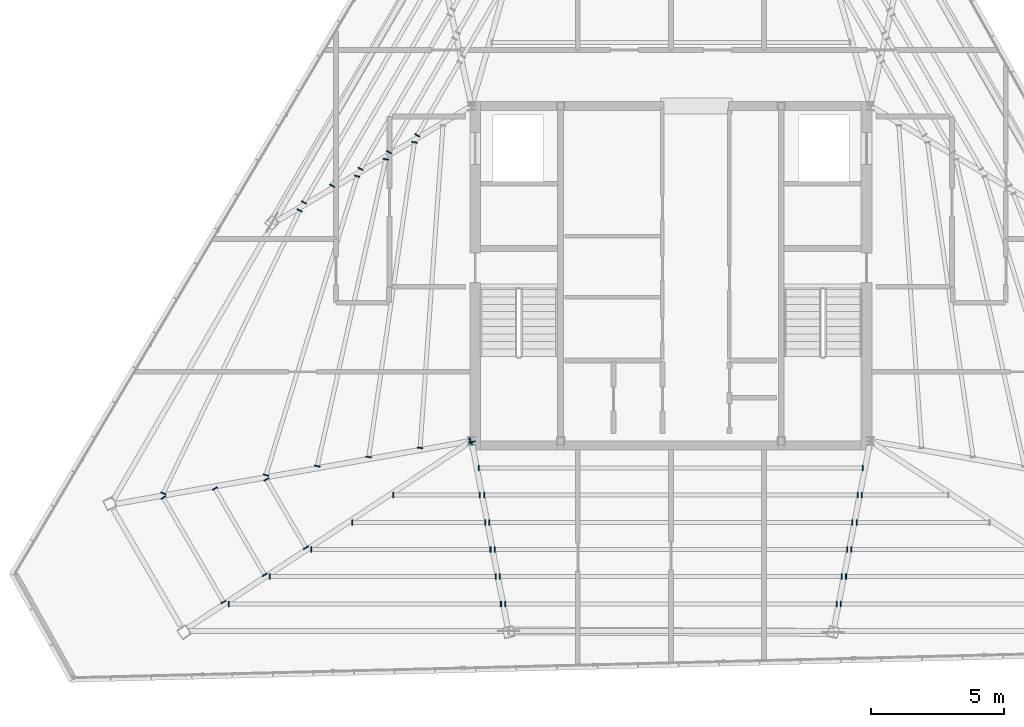
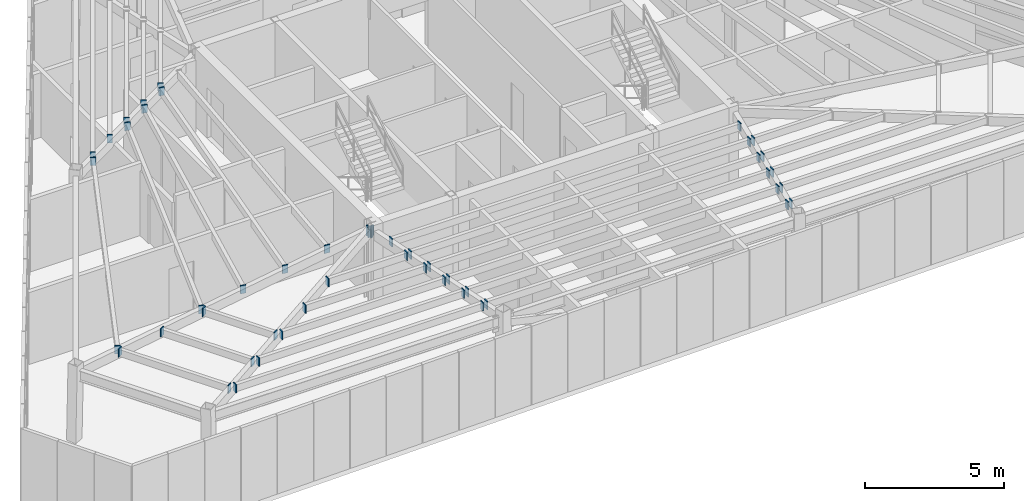
# One storey, part 39 of 48: 50 plates.
"""IFC4 building model written with IfcOpenShell, lengths in metres."""

from ifc_helpers import new_model, si_unit, direction, frame, origin, origin_2d, place, context, subcontext, project, spatial, rectangle, extrude, source, transform, mapped, material, layer, layer_set, type_object, type_shapes, element, save


model = new_model("IFC4")

# Units and contexts
model_context = context("Model", 3, precision=1e-05, world=origin(), true_north=direction((0.0, 1.0)))
body_context = subcontext(model_context, "Body", "Model", "MODEL_VIEW")
ifc_project = project(units=[si_unit("LENGTHUNIT", "METRE"), si_unit("AREAUNIT", "SQUARE_METRE"), si_unit("VOLUMEUNIT", "CUBIC_METRE"), si_unit("PLANEANGLEUNIT", "RADIAN"), si_unit("MASSUNIT", "GRAM", prefix="KILO")], contexts=[model_context])

# Site, building, storey
site_placement = place(None, origin())
site = spatial("IfcSite", under=ifc_project, at=site_placement, CompositionType="ELEMENT")
building_placement = place(site_placement, origin())
building = spatial("IfcBuilding", under=site, at=building_placement, Name="Caelisora Broadcast Tower", CompositionType="ELEMENT")
storey_placement = place(building_placement, frame((0.0, 0.0, 300.0)))
storey = spatial("IfcBuildingStorey", under=building, at=storey_placement, Name="L79", CompositionType="ELEMENT", Elevation=300.0)

# Plates
ifc_material = material(Name="Steel Grade 350 L15 (AS/NZS 3678)", Category="steel")
ifc_layer = layer(ifc_material, 0.0400390625, Name="Steel Grade 350 L15 (AS/NZS 3678)")
ifc_layer_set = layer_set([ifc_layer], Name="Steel Grade 350 L15 (AS/NZS 3678)")
plate_type = type_object("IfcPlateType", Name="GP04", PredefinedType="USERDEFINED", material=ifc_layer_set)
shared_shape_1 = source(origin(), body_context, "Body", "SweptSolid", [
    extrude(rectangle(XDim=0.260009765625, YDim=0.0400390625, at=origin_2d()), origin(), (0.0, 0.0, 1.0), 0.4599609375),
])
for number, where, z_axis, x_axis, name in (
    (1, (30.460693359375, 17.39306640625, 2.719970703125), (0.0, 0.0, 1.0), (0.174507518327, -0.984655841422, 0.0), "L79 gusset plate GP04 (ND-RAD-L79-05)"),
    (2, (30.466552734375, 17.3779296875, 2.719970703125), (0.0, 0.0, 1.0), (0.55062644014, -0.834751773535, 0.0), "L79 gusset plate GP04 (ND-RAD-L79-06)"),
    (3, (30.507568359375, 17.360595703125, 2.719970703125), (0.0, 0.0, 1.0), (0.981693728546, 0.190466331231, 0.0), "L79 gusset plate GP04 (ND-RAD-L79-07)"),
):
    element("IfcPlate", number, at=place(storey_placement, frame(where, z_axis=z_axis, x_axis=x_axis)), inside=storey, type_object=plate_type, Name=name, ObjectType="GUSSET PLATE", PredefinedType="USERDEFINED", context=body_context, shape_type="MappedRepresentation", body=[
        mapped(shared_shape_1, transform((0.0, 0.0, 0.0), scale=1.0)),
    ])
shared_shape_2 = source(origin(), body_context, "Body", "SweptSolid", [
    extrude(rectangle(XDim=0.2099609375, YDim=0.0400390625, at=origin_2d()), origin(), (0.0, 0.0, 1.0), 0.360107421875),
])
type_shapes(plate_type, [shared_shape_1, shared_shape_2])
for number, where, z_axis, x_axis, name in (
    (4, (28.457763671875, 28.894287109375, 2.81982421875), (0.0, 0.0, 1.0), (0.866025403784, -0.5, 0.0), "L79 gusset plate GP04 (ND-SB-L79-012B)"),
    (5, (27.3916015625, 28.262939453125, 2.81982421875), (0.0, 0.0, 1.0), (0.866025403784, -0.5, 0.0), "L79 gusset plate GP04 (ND-SB-L79-013B)"),
    (6, (26.3251953125, 27.631591796875, 2.81982421875), (0.0, 0.0, 1.0), (0.866025403784, -0.5, 0.0), "L79 gusset plate GP04 (ND-SB-L79-014B)"),
    (7, (25.2587890625, 27.00048828125, 2.81982421875), (0.0, 0.0, 1.0), (0.866025403784, -0.5, 0.0), "L79 gusset plate GP04 (ND-SB-L79-015B)"),
    (8, (24.192626953125, 26.369140625, 2.81982421875), (0.0, 0.0, 1.0), (0.866025403784, -0.5, 0.0), "L79 gusset plate GP04 (ND-SB-L79-016B)"),
    (9, (28.566162109375, 17.135986328125, 2.81982421875), (0.0, 0.0, 1.0), (0.997490454489, -0.070801081936, 0.0), "L79 gusset plate GP04 (ND-SB-L79-017B)"),
    (10, (28.352294921875, 28.633056640625, 2.81982421875), (0.0, 0.0, 1.0), (0.989626327559, -0.143665346556, 0.0), "L79 gusset plate GP04 (ND-SB-L79-018A)"),
    (11, (26.6328125, 16.7939453125, 2.81982421875), (0.0, 0.0, 1.0), (0.989626327559, -0.143665346556, 0.0), "L79 gusset plate GP04 (ND-SB-L79-018B)"),
    (12, (27.276123046875, 27.994873046875, 2.81982421875), (0.0, 0.0, 1.0), (0.975992848837, -0.217802568899, 0.0), "L79 gusset plate GP04 (ND-SB-L79-019A)"),
    (13, (24.699951171875, 16.451904296875, 2.81982421875), (0.0, 0.0, 1.0), (0.975992848837, -0.217802568899, 0.0), "L79 gusset plate GP04 (ND-SB-L79-019B)"),
    (14, (26.1982421875, 27.355224609375, 2.81982421875), (0.0, 0.0, 1.0), (0.956508636856, -0.291704006862, 0.0), "L79 gusset plate GP04 (ND-SB-L79-020A)"),
    (15, (22.767822265625, 16.1103515625, 2.81982421875), (0.0, 0.0, 1.0), (0.956508636856, -0.291704006862, 0.0), "L79 gusset plate GP04 (ND-SB-L79-020B)"),
    (16, (24.03369140625, 26.07080078125, 2.81982421875), (0.0, 0.0, 1.0), (0.900925590851, -0.433973593378, 0.0), "L79 gusset plate GP04 (ND-SB-L79-021A)"),
    (17, (18.90625, 15.427734375, 2.81982421875), (0.0, 0.0, 1.0), (0.900925590851, -0.433973593378, 0.0), "L79 gusset plate GP04 (ND-SB-L79-021B)"),
    (18, (22.783447265625, 15.95263671875, 2.81982421875), (0.0, 0.0, 1.0), (0.866025403784, 0.5, 0.0), "L79 gusset plate GP04 (ND-SB-L79-022A)"),
    (19, (24.268310546875, 13.381103515625, 2.81982421875), (0.0, 0.0, 1.0), (0.866025403784, 0.5, 0.0), "L79 gusset plate GP04 (ND-SB-L79-022B)"),
    (20, (20.843994140625, 15.60888671875, 2.81982421875), (0.0, 0.0, 1.0), (0.866025403784, 0.5, 0.0), "L79 gusset plate GP04 (ND-SB-L79-023A)"),
    (21, (22.719970703125, 12.359619140625, 2.81982421875), (0.0, 0.0, 1.0), (0.866025403784, 0.5, 0.0), "L79 gusset plate GP04 (ND-SB-L79-023B)"),
    (22, (18.904296875, 15.26513671875, 2.81982421875), (0.0, 0.0, 1.0), (0.866025403784, 0.5, 0.0), "L79 gusset plate GP04 (ND-SB-L79-024A)"),
    (23, (21.171630859375, 11.33837890625, 2.81982421875), (0.0, 0.0, 1.0), (0.866025403784, 0.5, 0.0), "L79 gusset plate GP04 (ND-SB-L79-024B)"),
    (24, (27.56201171875, 15.357177734375, 2.81982421875), (0.0, 0.0, 1.0), (0.0, 1.0, 0.0), "L79 gusset plate GP04 (ND-SB-L79-025A)"),
    (25, (30.8173828125, 15.357177734375, 2.81982421875), (0.0, 0.0, 1.0), (0.0, 1.0, 0.0), "L79 gusset plate GP04 (ND-SB-L79-025B)"),
    (26, (26.013671875, 14.335693359375, 2.81982421875), (0.0, 0.0, 1.0), (0.0, 1.0, 0.0), "L79 gusset plate GP04 (ND-SB-L79-026A)"),
    (27, (31.015625, 14.335693359375, 2.81982421875), (0.0, 0.0, 1.0), (0.0, 1.0, 0.0), "L79 gusset plate GP04 (ND-SB-L79-026B)"),
    (28, (24.46533203125, 13.314208984375, 2.81982421875), (0.0, 0.0, 1.0), (0.0, 1.0, 0.0), "L79 gusset plate GP04 (ND-SB-L79-027A)"),
    (29, (31.2138671875, 13.314208984375, 2.81982421875), (0.0, 0.0, 1.0), (0.0, 1.0, 0.0), "L79 gusset plate GP04 (ND-SB-L79-027B)"),
    (30, (22.9169921875, 12.29296875, 2.81982421875), (0.0, 0.0, 1.0), (0.0, 1.0, 0.0), "L79 gusset plate GP04 (ND-SB-L79-028A)"),
    (31, (31.412109375, 12.29296875, 2.81982421875), (0.0, 0.0, 1.0), (0.0, 1.0, 0.0), "L79 gusset plate GP04 (ND-SB-L79-028B)"),
    (32, (21.368896484375, 11.271484375, 2.81982421875), (0.0, 0.0, 1.0), (0.0, 1.0, 0.0), "L79 gusset plate GP04 (ND-SB-L79-029A)"),
    (33, (31.610107421875, 11.271484375, 2.81982421875), (0.0, 0.0, 1.0), (0.0, 1.0, 0.0), "L79 gusset plate GP04 (ND-SB-L79-029B)"),
    (34, (30.777099609375, 16.378662109375, 2.81982421875), (0.0, 0.0, 1.0), (0.0, 1.0, 0.0), "L79 gusset plate GP04 (ND-SB-L79-030A)"),
    (35, (45.222900390625, 16.378662109375, 2.81982421875), (0.0, 0.0, 1.0), (0.0, 1.0, 0.0), "L79 gusset plate GP04 (ND-SB-L79-030B)"),
    (36, (30.975341796875, 15.357177734375, 2.81982421875), (0.0, 0.0, 1.0), (0.0, 1.0, 0.0), "L79 gusset plate GP04 (ND-SB-L79-031A)"),
    (37, (45.024658203125, 15.357177734375, 2.81982421875), (0.0, 0.0, 1.0), (0.0, 1.0, 0.0), "L79 gusset plate GP04 (ND-SB-L79-031B)"),
    (38, (31.173583984375, 14.335693359375, 2.81982421875), (0.0, 0.0, 1.0), (0.0, 1.0, 0.0), "L79 gusset plate GP04 (ND-SB-L79-032A)"),
    (39, (44.826416015625, 14.335693359375, 2.81982421875), (0.0, 0.0, 1.0), (0.0, 1.0, 0.0), "L79 gusset plate GP04 (ND-SB-L79-032B)"),
    (40, (31.37158203125, 13.314208984375, 2.81982421875), (0.0, 0.0, 1.0), (0.0, 1.0, 0.0), "L79 gusset plate GP04 (ND-SB-L79-033A)"),
    (41, (44.62841796875, 13.314208984375, 2.81982421875), (0.0, 0.0, 1.0), (0.0, 1.0, 0.0), "L79 gusset plate GP04 (ND-SB-L79-033B)"),
    (42, (31.56982421875, 12.29296875, 2.81982421875), (0.0, 0.0, 1.0), (0.0, 1.0, 0.0), "L79 gusset plate GP04 (ND-SB-L79-034A)"),
    (43, (44.43017578125, 12.29296875, 2.81982421875), (0.0, 0.0, 1.0), (0.0, 1.0, 0.0), "L79 gusset plate GP04 (ND-SB-L79-034B)"),
    (44, (31.76806640625, 11.271484375, 2.81982421875), (0.0, 0.0, 1.0), (0.0, 1.0, 0.0), "L79 gusset plate GP04 (ND-SB-L79-035A)"),
    (45, (44.23193359375, 11.271484375, 2.81982421875), (0.0, 0.0, 1.0), (0.0, 1.0, 0.0), "L79 gusset plate GP04 (ND-SB-L79-035B)"),
    (46, (45.1826171875, 15.357177734375, 2.81982421875), (0.0, 0.0, 1.0), (0.0, 1.0, 0.0), "L79 gusset plate GP04 (ND-SB-L79-036A)"),
    (47, (44.984375, 14.335693359375, 2.81982421875), (0.0, 0.0, 1.0), (0.0, 1.0, 0.0), "L79 gusset plate GP04 (ND-SB-L79-037A)"),
    (48, (44.7861328125, 13.314208984375, 2.81982421875), (0.0, 0.0, 1.0), (0.0, 1.0, 0.0), "L79 gusset plate GP04 (ND-SB-L79-038A)"),
    (49, (44.587890625, 12.29296875, 2.81982421875), (0.0, 0.0, 1.0), (0.0, 1.0, 0.0), "L79 gusset plate GP04 (ND-SB-L79-039A)"),
    (50, (44.389892578125, 11.271484375, 2.81982421875), (0.0, 0.0, 1.0), (0.0, 1.0, 0.0), "L79 gusset plate GP04 (ND-SB-L79-040A)"),
):
    element("IfcPlate", number, at=place(storey_placement, frame(where, z_axis=z_axis, x_axis=x_axis)), inside=storey, type_object=plate_type, Name=name, ObjectType="GUSSET PLATE", PredefinedType="USERDEFINED", context=body_context, shape_type="MappedRepresentation", body=[
        mapped(shared_shape_2, transform((0.0, 0.0, 0.0), scale=1.0)),
    ])

save(model, "model.ifc")
